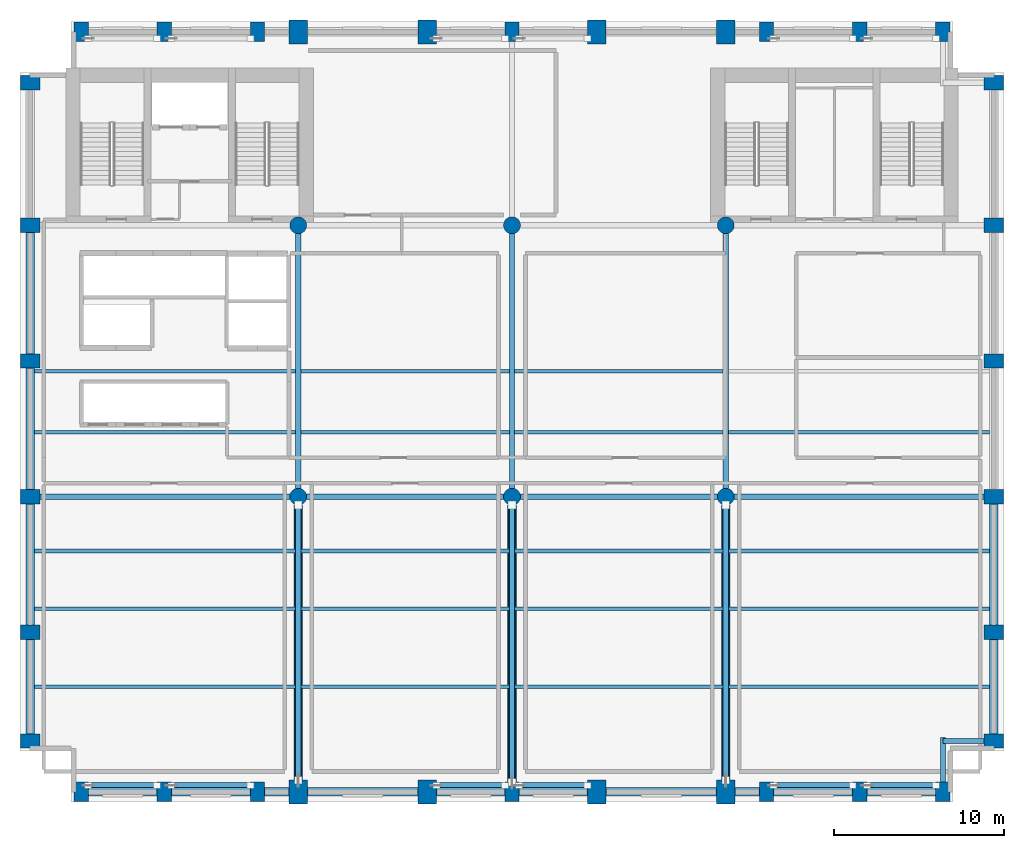
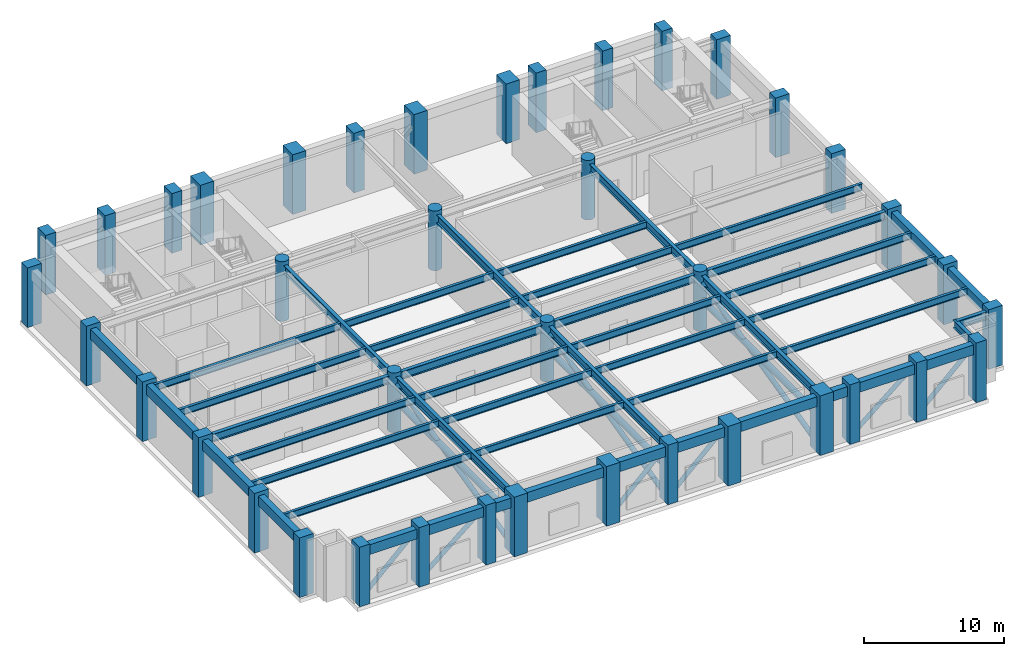
# One storey, part 1 of 11: 47 beams, 40 columns, 12 members.
"""IFC4 building model written with IfcOpenShell, lengths in metres."""

from ifc_helpers import new_model, si_unit, direction, frame, origin, origin_2d, place, context, subcontext, project, spatial, rectangle, circle, hollow_circle, i_section, extrude, material, material_profile, profile_set, type_object, element, save


model = new_model("IFC4")

# Units and contexts
model_context = context("Model", 3, precision=1e-05, world=origin(), true_north=direction((0.0, 1.0)))
body_context = subcontext(model_context, "Body", "Model", "MODEL_VIEW")
ifc_project = project(units=[si_unit("LENGTHUNIT", "METRE"), si_unit("AREAUNIT", "SQUARE_METRE"), si_unit("VOLUMEUNIT", "CUBIC_METRE"), si_unit("PLANEANGLEUNIT", "RADIAN"), si_unit("MASSUNIT", "GRAM", prefix="KILO")], contexts=[model_context])

# Site, building, storey
site_placement = place(None, origin())
site = spatial("IfcSite", under=ifc_project, at=site_placement, CompositionType="ELEMENT")
building_placement = place(site_placement, origin())
building = spatial("IfcBuilding", under=site, at=building_placement, Name="Sulina Concourse Tower", CompositionType="ELEMENT")
storey_placement = place(building_placement, frame((0.0, 0.0, 82.60009765625)))
storey = spatial("IfcBuildingStorey", under=building, at=storey_placement, Name="L20", CompositionType="ELEMENT", Elevation=82.60009765625)

# Columns
ifc_material_1 = material(Name="Concrete C60/75", Category="concrete")
ifc_material_profile_1 = material_profile(ifc_material_1, circle(Radius=0.5, at=origin_2d()), Name="RC D1000")
ifc_profile_set_1 = profile_set([ifc_material_profile_1], Name="Concrete C60/75")
column_type_1 = type_object("IfcColumnType", Name="Lower Interior Circular Column D1000", PredefinedType="COLUMN", material=ifc_profile_set_1)
for number, where, z_axis, x_axis, name in (
    (1, (16.39990234375, 18.0, 0.0), (0.0, 0.0, 1.0), (1.0, 0.0, 0.0), "L20 structural column IC-M-164"),
    (2, (16.39990234375, 34.0, 0.0), (0.0, 0.0, 1.0), (1.0, 0.0, 0.0), "L20 structural column IC-N-164"),
    (3, (29.0, 18.0, 0.0), (0.0, 0.0, 1.0), (1.0, 0.0, 0.0), "L20 structural column IC-M-290"),
    (4, (29.0, 34.0, 0.0), (0.0, 0.0, 1.0), (1.0, 0.0, 0.0), "L20 structural column IC-N-290"),
    (5, (41.60009765625, 18.0, 0.0), (0.0, 0.0, 1.0), (1.0, 0.0, 0.0), "L20 structural column IC-M-416"),
    (6, (41.60009765625, 34.0, 0.0), (0.0, 0.0, 1.0), (1.0, 0.0, 0.0), "L20 structural column IC-N-416"),
):
    element("IfcColumn", number, at=place(storey_placement, frame(where, z_axis=z_axis, x_axis=x_axis)), inside=storey, type_object=column_type_1, Name=name, PredefinedType="COLUMN", context=body_context, shape_type="SweptSolid", body=[
        extrude(circle(Radius=0.5, at=origin_2d()), origin(), (0.0, 0.0, 1.0), 5.199951171875),
    ])
ifc_material_2 = material(Name="Concrete C60/75", Category="concrete")
ifc_material_profile_2 = material_profile(ifc_material_2, rectangle(XDim=1.10009765625, YDim=1.39990234375, at=origin_2d()), Name="RC 1100x1400")
ifc_profile_set_2 = profile_set([ifc_material_profile_2], Name="Concrete C60/75")
column_type_2 = type_object("IfcColumnType", Name="Mid-Rise Portal Column 1100x1400", PredefinedType="COLUMN", material=ifc_profile_set_2)
for number, where, z_axis, x_axis, name in (
    (7, (16.39990234375, 0.60009765625, 0.0), (0.0, 0.0, 1.0), (1.0, 0.0, 0.0), "L20 structural column TP-S-164"),
    (8, (16.39990234375, 45.39990234375, 0.0), (0.0, 0.0, 1.0), (1.0, 0.0, 0.0), "L20 structural column TP-N-164"),
    (9, (24.0, 0.60009765625, 0.0), (0.0, 0.0, 1.0), (1.0, 0.0, 0.0), "L20 structural column TP-S-240"),
    (10, (24.0, 45.39990234375, 0.0), (0.0, 0.0, 1.0), (1.0, 0.0, 0.0), "L20 structural column TP-N-240"),
    (11, (34.0, 0.60009765625, 0.0), (0.0, 0.0, 1.0), (1.0, 0.0, 0.0), "L20 structural column TP-S-340"),
    (12, (34.0, 45.39990234375, 0.0), (0.0, 0.0, 1.0), (1.0, 0.0, 0.0), "L20 structural column TP-N-340"),
    (13, (41.60009765625, 0.60009765625, 0.0), (0.0, 0.0, 1.0), (1.0, 0.0, 0.0), "L20 structural column TP-S-416"),
    (14, (41.60009765625, 45.39990234375, 0.0), (0.0, 0.0, 1.0), (1.0, 0.0, 0.0), "L20 structural column TP-N-416"),
):
    element("IfcColumn", number, at=place(storey_placement, frame(where, z_axis=z_axis, x_axis=x_axis)), inside=storey, type_object=column_type_2, Name=name, PredefinedType="COLUMN", context=body_context, shape_type="SweptSolid", body=[
        extrude(rectangle(XDim=1.10009765625, YDim=1.39990234375, at=origin_2d()), origin(), (0.0, 0.0, 1.0), 5.199951171875),
    ])
ifc_material_3 = material(Name="Precast concrete C60/75", Category="concrete")
ifc_material_profile_3 = material_profile(ifc_material_3, rectangle(XDim=0.85009765625, YDim=1.14990234375, at=origin_2d()), Name="PC 850x1150")
ifc_profile_set_3 = profile_set([ifc_material_profile_3], Name="Precast concrete C60/75")
column_type_3 = type_object("IfcColumnType", Name="Precast Tube Pier Zone 2 850x1150", PredefinedType="COLUMN", material=ifc_profile_set_3)
for number, where, z_axis, x_axis, name in (
    (15, (3.60009765625, 0.60009765625, 0.0), (0.0, 0.0, 1.0), (1.0, 0.0, 0.0), "L20 structural column TP-S-36"),
    (16, (3.60009765625, 45.39990234375, 0.0), (0.0, 0.0, 1.0), (1.0, 0.0, 0.0), "L20 structural column TP-N-36"),
    (17, (8.5, 0.60009765625, 0.0), (0.0, 0.0, 1.0), (1.0, 0.0, 0.0), "L20 structural column TP-S-85"),
    (18, (8.5, 45.39990234375, 0.0), (0.0, 0.0, 1.0), (1.0, 0.0, 0.0), "L20 structural column TP-N-85"),
    (19, (14.0, 0.60009765625, 0.0), (0.0, 0.0, 1.0), (1.0, 0.0, 0.0), "L20 structural column TP-S-140"),
    (20, (14.0, 45.39990234375, 0.0), (0.0, 0.0, 1.0), (1.0, 0.0, 0.0), "L20 structural column TP-N-140"),
    (21, (29.0, 0.60009765625, 0.0), (0.0, 0.0, 1.0), (1.0, 0.0, 0.0), "L20 structural column TP-S-290"),
    (22, (29.0, 45.39990234375, 0.0), (0.0, 0.0, 1.0), (1.0, 0.0, 0.0), "L20 structural column TP-N-290"),
    (23, (44.0, 0.60009765625, 0.0), (0.0, 0.0, 1.0), (1.0, 0.0, 0.0), "L20 structural column TP-S-440"),
    (24, (44.0, 45.39990234375, 0.0), (0.0, 0.0, 1.0), (1.0, 0.0, 0.0), "L20 structural column TP-N-440"),
    (25, (49.5, 0.60009765625, 0.0), (0.0, 0.0, 1.0), (1.0, 0.0, 0.0), "L20 structural column TP-S-495"),
    (26, (49.5, 45.39990234375, 0.0), (0.0, 0.0, 1.0), (1.0, 0.0, 0.0), "L20 structural column TP-N-495"),
    (27, (54.39990234375, 0.60009765625, 0.0), (0.0, 0.0, 1.0), (1.0, 0.0, 0.0), "L20 structural column TP-S-544"),
    (28, (54.39990234375, 45.39990234375, 0.0), (0.0, 0.0, 1.0), (1.0, 0.0, 0.0), "L20 structural column TP-N-544"),
    (29, (0.60009765625, 3.60009765625, 0.0), (0.0, 0.0, 1.0), (0.0, 1.0, 0.0), "L20 structural column TP-W-36"),
    (30, (57.39990234375, 3.60009765625, 0.0), (0.0, 0.0, 1.0), (0.0, 1.0, 0.0), "L20 structural column TP-E-36"),
    (31, (0.60009765625, 10.0, 0.0), (0.0, 0.0, 1.0), (0.0, 1.0, 0.0), "L20 structural column TP-W-100"),
    (32, (57.39990234375, 10.0, 0.0), (0.0, 0.0, 1.0), (0.0, 1.0, 0.0), "L20 structural column TP-E-100"),
    (33, (0.60009765625, 18.0, 0.0), (0.0, 0.0, 1.0), (0.0, 1.0, 0.0), "L20 structural column TP-W-180"),
    (34, (57.39990234375, 18.0, 0.0), (0.0, 0.0, 1.0), (0.0, 1.0, 0.0), "L20 structural column TP-E-180"),
    (35, (0.60009765625, 26.0, 0.0), (0.0, 0.0, 1.0), (0.0, 1.0, 0.0), "L20 structural column TP-W-260"),
    (36, (57.39990234375, 26.0, 0.0), (0.0, 0.0, 1.0), (0.0, 1.0, 0.0), "L20 structural column TP-E-260"),
    (37, (0.60009765625, 34.0, 0.0), (0.0, 0.0, 1.0), (0.0, 1.0, 0.0), "L20 structural column TP-W-340"),
    (38, (57.39990234375, 34.0, 0.0), (0.0, 0.0, 1.0), (0.0, 1.0, 0.0), "L20 structural column TP-E-340"),
    (39, (0.60009765625, 42.39990234375, 0.0), (0.0, 0.0, 1.0), (0.0, 1.0, 0.0), "L20 structural column TP-W-424"),
    (40, (57.39990234375, 42.39990234375, 0.0), (0.0, 0.0, 1.0), (0.0, 1.0, 0.0), "L20 structural column TP-E-424"),
):
    element("IfcColumn", number, at=place(storey_placement, frame(where, z_axis=z_axis, x_axis=x_axis)), inside=storey, type_object=column_type_3, Name=name, PredefinedType="COLUMN", context=body_context, shape_type="SweptSolid", body=[
        extrude(rectangle(XDim=0.85009765625, YDim=1.14990234375, at=origin_2d()), origin(), (0.0, 0.0, 1.0), 5.199951171875),
    ])

# Members
ifc_material_4 = material(Name="Steel S355", Category="steel")
ifc_material_profile_4 = material_profile(ifc_material_4, hollow_circle(Radius=0.177734375, WallThickness=0.01416015625, at=origin_2d()), Name="CHS 355.6x14.2")
ifc_profile_set_4 = profile_set([ifc_material_profile_4], Name="Steel S355")
member_type_1 = type_object("IfcMemberType", Name="Belt Truss Diagonal Brace CHS355.6x14.2", PredefinedType="BRACE", material=ifc_profile_set_4)
member_1_placement = place(storey_placement, frame((4.014892578125, 0.97998046875, 0.14990234375), z_axis=(0.724683530795, 0.0, 0.689081838532), x_axis=(0.0, 1.0, 0.0)))
element("IfcMember", 41, at=member_1_placement, inside=storey, type_object=member_type_1, Name="BLT-S1-L20", PredefinedType="BRACE", context=body_context, shape_type="SweptSolid", body=[
    extrude(hollow_circle(Radius=0.177734375, WallThickness=0.01416015625, at=origin_2d()), origin(), (0.0, 0.0, 1.0), 5.616455078125),
])
member_2_placement = place(storey_placement, frame((8.9150390625, 0.97998046875, 0.14990234375), z_axis=(0.769960534835, 0.0, 0.638091509735), x_axis=(0.0, 1.0, 0.0)))
element("IfcMember", 42, at=member_2_placement, inside=storey, type_object=member_type_1, Name="BLT-S2-L20", PredefinedType="BRACE", context=body_context, shape_type="SweptSolid", body=[
    extrude(hollow_circle(Radius=0.177734375, WallThickness=0.01416015625, at=origin_2d()), origin(), (0.0, 0.0, 1.0), 6.065185546875),
])
for number, where, z_axis, x_axis, name in (
    (43, (24.5400390625, 0.97998046875, 0.14990234375), (0.72254713742, 0.0, 0.691321657556), (0.0, 1.0, 0.0), "BLT-S3-L20"),
    (44, (29.4150390625, 0.97998046875, 0.14990234375), (0.72254713742, 0.0, 0.691321657556), (0.0, 1.0, 0.0), "BLT-S4-L20"),
):
    element("IfcMember", number, at=place(storey_placement, frame(where, z_axis=z_axis, x_axis=x_axis)), inside=storey, type_object=member_type_1, Name=name, PredefinedType="BRACE", context=body_context, shape_type="SweptSolid", body=[
        extrude(hollow_circle(Radius=0.177734375, WallThickness=0.01416015625, at=origin_2d()), origin(), (0.0, 0.0, 1.0), 5.59814453125),
    ])
member_3_placement = place(storey_placement, frame((44.4150390625, 0.97998046875, 0.14990234375), z_axis=(0.769960534835, 0.0, 0.638091509735), x_axis=(0.0, 1.0, 0.0)))
element("IfcMember", 45, at=member_3_placement, inside=storey, type_object=member_type_1, Name="BLT-S5-L20", PredefinedType="BRACE", context=body_context, shape_type="SweptSolid", body=[
    extrude(hollow_circle(Radius=0.177734375, WallThickness=0.01416015625, at=origin_2d()), origin(), (0.0, 0.0, 1.0), 6.065185546875),
])
member_4_placement = place(storey_placement, frame((49.9150390625, 0.97998046875, 0.14990234375), z_axis=(0.724683530795, 0.0, 0.689081838532), x_axis=(0.0, 1.0, 0.0)))
element("IfcMember", 46, at=member_4_placement, inside=storey, type_object=member_type_1, Name="BLT-S6-L20", PredefinedType="BRACE", context=body_context, shape_type="SweptSolid", body=[
    extrude(hollow_circle(Radius=0.177734375, WallThickness=0.01416015625, at=origin_2d()), origin(), (0.0, 0.0, 1.0), 5.616455078125),
])

# Beams
ifc_material_5 = material(Name="Steel S355", Category="steel")
ifc_material_profile_5 = material_profile(ifc_material_5, i_section(OverallWidth=0.219970703125, OverallDepth=0.60009765625, WebThickness=0.011962890625, FlangeThickness=0.01904296875, at=origin_2d()), Name="IPE 600")
ifc_profile_set_5 = profile_set([ifc_material_profile_5], Name="Steel S355")
beam_type_1 = type_object("IfcBeamType", Name="Composite Floor Joist IPE600", PredefinedType="JOIST", material=ifc_profile_set_5)
beam_1_placement = place(storey_placement, frame((0.85009765625, 6.800048828125, 4.559814453125), z_axis=(1.0, 0.0, 0.0), x_axis=(0.0, 1.0, 0.0)))
element("IfcBeam", 47, at=beam_1_placement, inside=storey, type_object=beam_type_1, Name="FJ-J06-1-L20", PredefinedType="JOIST", context=body_context, shape_type="SweptSolid", body=[
    extrude(i_section(OverallWidth=0.219970703125, OverallDepth=0.60009765625, WebThickness=0.011962890625, FlangeThickness=0.01904296875, at=origin_2d()), origin(), (0.0, 0.0, 1.0), 15.39990234375),
])
for number, where, z_axis, x_axis, name in (
    (48, (16.550048828125, 6.800048828125, 4.559814453125), (1.0, 0.0, 0.0), (0.0, 1.0, 0.0), "FJ-J06-2-L20"),
    (49, (29.14990234375, 6.800048828125, 4.559814453125), (1.0, 0.0, 0.0), (0.0, 1.0, 0.0), "FJ-J06-3-L20"),
):
    element("IfcBeam", number, at=place(storey_placement, frame(where, z_axis=z_axis, x_axis=x_axis)), inside=storey, type_object=beam_type_1, Name=name, PredefinedType="JOIST", context=body_context, shape_type="SweptSolid", body=[
        extrude(i_section(OverallWidth=0.219970703125, OverallDepth=0.60009765625, WebThickness=0.011962890625, FlangeThickness=0.01904296875, at=origin_2d()), origin(), (0.0, 0.0, 1.0), 12.300048828125),
    ])
for number, where, z_axis, x_axis, name in (
    (50, (41.75, 6.800048828125, 4.559814453125), (1.0, 0.0, 0.0), (0.0, 1.0, 0.0), "FJ-J06-4-L20"),
    (51, (0.85009765625, 11.39990234375, 4.559814453125), (1.0, 0.0, 0.0), (0.0, 1.0, 0.0), "FJ-J11-1-L20"),
):
    element("IfcBeam", number, at=place(storey_placement, frame(where, z_axis=z_axis, x_axis=x_axis)), inside=storey, type_object=beam_type_1, Name=name, PredefinedType="JOIST", context=body_context, shape_type="SweptSolid", body=[
        extrude(i_section(OverallWidth=0.219970703125, OverallDepth=0.60009765625, WebThickness=0.011962890625, FlangeThickness=0.01904296875, at=origin_2d()), origin(), (0.0, 0.0, 1.0), 15.39990234375),
    ])
for number, where, z_axis, x_axis, name in (
    (52, (16.550048828125, 11.39990234375, 4.559814453125), (1.0, 0.0, 0.0), (0.0, 1.0, 0.0), "FJ-J11-2-L20"),
    (53, (29.14990234375, 11.39990234375, 4.559814453125), (1.0, 0.0, 0.0), (0.0, 1.0, 0.0), "FJ-J11-3-L20"),
):
    element("IfcBeam", number, at=place(storey_placement, frame(where, z_axis=z_axis, x_axis=x_axis)), inside=storey, type_object=beam_type_1, Name=name, PredefinedType="JOIST", context=body_context, shape_type="SweptSolid", body=[
        extrude(i_section(OverallWidth=0.219970703125, OverallDepth=0.60009765625, WebThickness=0.011962890625, FlangeThickness=0.01904296875, at=origin_2d()), origin(), (0.0, 0.0, 1.0), 12.300048828125),
    ])
for number, where, z_axis, x_axis, name in (
    (54, (41.75, 11.39990234375, 4.559814453125), (1.0, 0.0, 0.0), (0.0, 1.0, 0.0), "FJ-J11-4-L20"),
    (55, (0.85009765625, 14.800048828125, 4.559814453125), (1.0, 0.0, 0.0), (0.0, 1.0, 0.0), "FJ-J15-1-L20"),
):
    element("IfcBeam", number, at=place(storey_placement, frame(where, z_axis=z_axis, x_axis=x_axis)), inside=storey, type_object=beam_type_1, Name=name, PredefinedType="JOIST", context=body_context, shape_type="SweptSolid", body=[
        extrude(i_section(OverallWidth=0.219970703125, OverallDepth=0.60009765625, WebThickness=0.011962890625, FlangeThickness=0.01904296875, at=origin_2d()), origin(), (0.0, 0.0, 1.0), 15.39990234375),
    ])
for number, where, z_axis, x_axis, name in (
    (56, (16.550048828125, 14.800048828125, 4.559814453125), (1.0, 0.0, 0.0), (0.0, 1.0, 0.0), "FJ-J15-2-L20"),
    (57, (29.14990234375, 14.800048828125, 4.559814453125), (1.0, 0.0, 0.0), (0.0, 1.0, 0.0), "FJ-J15-3-L20"),
):
    element("IfcBeam", number, at=place(storey_placement, frame(where, z_axis=z_axis, x_axis=x_axis)), inside=storey, type_object=beam_type_1, Name=name, PredefinedType="JOIST", context=body_context, shape_type="SweptSolid", body=[
        extrude(i_section(OverallWidth=0.219970703125, OverallDepth=0.60009765625, WebThickness=0.011962890625, FlangeThickness=0.01904296875, at=origin_2d()), origin(), (0.0, 0.0, 1.0), 12.300048828125),
    ])
for number, where, z_axis, x_axis, name in (
    (58, (41.75, 14.800048828125, 4.559814453125), (1.0, 0.0, 0.0), (0.0, 1.0, 0.0), "FJ-J15-4-L20"),
    (59, (0.85009765625, 21.800048828125, 4.559814453125), (1.0, 0.0, 0.0), (0.0, 1.0, 0.0), "FJ-J22-1-L20"),
):
    element("IfcBeam", number, at=place(storey_placement, frame(where, z_axis=z_axis, x_axis=x_axis)), inside=storey, type_object=beam_type_1, Name=name, PredefinedType="JOIST", context=body_context, shape_type="SweptSolid", body=[
        extrude(i_section(OverallWidth=0.219970703125, OverallDepth=0.60009765625, WebThickness=0.011962890625, FlangeThickness=0.01904296875, at=origin_2d()), origin(), (0.0, 0.0, 1.0), 15.39990234375),
    ])
for number, where, z_axis, x_axis, name in (
    (60, (16.550048828125, 21.800048828125, 4.559814453125), (1.0, 0.0, 0.0), (0.0, 1.0, 0.0), "FJ-J22-2-L20"),
    (61, (29.14990234375, 21.800048828125, 4.559814453125), (1.0, 0.0, 0.0), (0.0, 1.0, 0.0), "FJ-J22-3-L20"),
):
    element("IfcBeam", number, at=place(storey_placement, frame(where, z_axis=z_axis, x_axis=x_axis)), inside=storey, type_object=beam_type_1, Name=name, PredefinedType="JOIST", context=body_context, shape_type="SweptSolid", body=[
        extrude(i_section(OverallWidth=0.219970703125, OverallDepth=0.60009765625, WebThickness=0.011962890625, FlangeThickness=0.01904296875, at=origin_2d()), origin(), (0.0, 0.0, 1.0), 12.300048828125),
    ])
for number, where, z_axis, x_axis, name in (
    (62, (41.75, 21.800048828125, 4.559814453125), (1.0, 0.0, 0.0), (0.0, 1.0, 0.0), "FJ-J22-4-L20"),
    (63, (0.85009765625, 25.39990234375, 4.559814453125), (1.0, 0.0, 0.0), (0.0, 1.0, 0.0), "FJ-J25-1-L20"),
):
    element("IfcBeam", number, at=place(storey_placement, frame(where, z_axis=z_axis, x_axis=x_axis)), inside=storey, type_object=beam_type_1, Name=name, PredefinedType="JOIST", context=body_context, shape_type="SweptSolid", body=[
        extrude(i_section(OverallWidth=0.219970703125, OverallDepth=0.60009765625, WebThickness=0.011962890625, FlangeThickness=0.01904296875, at=origin_2d()), origin(), (0.0, 0.0, 1.0), 15.39990234375),
    ])
for number, where, z_axis, x_axis, name in (
    (64, (16.550048828125, 25.39990234375, 4.559814453125), (1.0, 0.0, 0.0), (0.0, 1.0, 0.0), "FJ-J25-2-L20"),
    (65, (29.14990234375, 25.39990234375, 4.559814453125), (1.0, 0.0, 0.0), (0.0, 1.0, 0.0), "FJ-J25-3-L20"),
):
    element("IfcBeam", number, at=place(storey_placement, frame(where, z_axis=z_axis, x_axis=x_axis)), inside=storey, type_object=beam_type_1, Name=name, PredefinedType="JOIST", context=body_context, shape_type="SweptSolid", body=[
        extrude(i_section(OverallWidth=0.219970703125, OverallDepth=0.60009765625, WebThickness=0.011962890625, FlangeThickness=0.01904296875, at=origin_2d()), origin(), (0.0, 0.0, 1.0), 12.300048828125),
    ])
ifc_material_6 = material(Name="Steel S355", Category="steel")
ifc_material_profile_6 = material_profile(ifc_material_6, i_section(OverallWidth=0.300048828125, OverallDepth=0.699951171875, WebThickness=0.01708984375, FlangeThickness=0.031982421875, at=origin_2d()), Name="HE 700 B")
ifc_profile_set_6 = profile_set([ifc_material_profile_6], Name="Steel S355")
beam_type_2 = type_object("IfcBeamType", Name="Floor Primary Girder Zone 1 HE700B", PredefinedType="BEAM", material=ifc_profile_set_6)
beam_2_placement = place(storey_placement, frame((54.39990234375, 3.60009765625, 4.510009765625), z_axis=(1.0, 0.0, 0.0), x_axis=(0.0, 1.0, 0.0)))
element("IfcBeam", 66, at=beam_2_placement, inside=storey, type_object=beam_type_2, Name="TIE-SE-L20", PredefinedType="BEAM", context=body_context, shape_type="SweptSolid", body=[
    extrude(i_section(OverallWidth=0.300048828125, OverallDepth=0.699951171875, WebThickness=0.01708984375, FlangeThickness=0.031982421875, at=origin_2d()), origin(), (0.0, 0.0, 1.0), 2.59521484375),
])
beam_3_placement = place(storey_placement, frame((54.39990234375, 1.0048828125, 4.510009765625), z_axis=(0.0, 1.0, 0.0), x_axis=(-1.0, 0.0, 0.0)))
element("IfcBeam", 67, at=beam_3_placement, inside=storey, type_object=beam_type_2, Name="TIE-SES-L20", PredefinedType="BEAM", context=body_context, shape_type="SweptSolid", body=[
    extrude(i_section(OverallWidth=0.300048828125, OverallDepth=0.699951171875, WebThickness=0.01708984375, FlangeThickness=0.031982421875, at=origin_2d()), origin(), (0.0, 0.0, 1.0), 2.795166015625),
])
beam_4_placement = place(storey_placement, frame((1.0048828125, 18.0, 4.510009765625), z_axis=(1.0, 0.0, 0.0), x_axis=(0.0, 1.0, 0.0)))
element("IfcBeam", 68, at=beam_4_placement, inside=storey, type_object=beam_type_2, Name="FG-EW1-L20", PredefinedType="BEAM", context=body_context, shape_type="SweptSolid", body=[
    extrude(i_section(OverallWidth=0.300048828125, OverallDepth=0.699951171875, WebThickness=0.01708984375, FlangeThickness=0.031982421875, at=origin_2d()), origin(), (0.0, 0.0, 1.0), 14.9150390625),
])
for number, where, z_axis, x_axis, name in (
    (69, (16.8798828125, 18.0, 4.510009765625), (1.0, 0.0, 0.0), (0.0, 1.0, 0.0), "FG-EW2-L20"),
    (70, (29.47998046875, 18.0, 4.510009765625), (1.0, 0.0, 0.0), (0.0, 1.0, 0.0), "FG-EW3-L20"),
):
    element("IfcBeam", number, at=place(storey_placement, frame(where, z_axis=z_axis, x_axis=x_axis)), inside=storey, type_object=beam_type_2, Name=name, PredefinedType="BEAM", context=body_context, shape_type="SweptSolid", body=[
        extrude(i_section(OverallWidth=0.300048828125, OverallDepth=0.699951171875, WebThickness=0.01708984375, FlangeThickness=0.031982421875, at=origin_2d()), origin(), (0.0, 0.0, 1.0), 11.64013671875),
    ])
beam_5_placement = place(storey_placement, frame((42.080078125, 18.0, 4.510009765625), z_axis=(1.0, 0.0, 0.0), x_axis=(0.0, 1.0, 0.0)))
element("IfcBeam", 71, at=beam_5_placement, inside=storey, type_object=beam_type_2, Name="FG-EW4-L20", PredefinedType="BEAM", context=body_context, shape_type="SweptSolid", body=[
    extrude(i_section(OverallWidth=0.300048828125, OverallDepth=0.699951171875, WebThickness=0.01708984375, FlangeThickness=0.031982421875, at=origin_2d()), origin(), (0.0, 0.0, 1.0), 14.9150390625),
])
beam_6_placement = place(storey_placement, frame((16.39990234375, 1.1298828125, 4.510009765625), z_axis=(0.0, 1.0, 0.0), x_axis=(-1.0, 0.0, 0.0)))
element("IfcBeam", 72, at=beam_6_placement, inside=storey, type_object=beam_type_2, Name="FG-NSA-16-L20", PredefinedType="BEAM", context=body_context, shape_type="SweptSolid", body=[
    extrude(i_section(OverallWidth=0.300048828125, OverallDepth=0.699951171875, WebThickness=0.01708984375, FlangeThickness=0.031982421875, at=origin_2d()), origin(), (0.0, 0.0, 1.0), 16.39013671875),
])
beam_7_placement = place(storey_placement, frame((16.39990234375, 18.47998046875, 4.510009765625), z_axis=(0.0, 1.0, 0.0), x_axis=(-1.0, 0.0, 0.0)))
element("IfcBeam", 73, at=beam_7_placement, inside=storey, type_object=beam_type_2, Name="FG-NSB-16-L20", PredefinedType="BEAM", context=body_context, shape_type="SweptSolid", body=[
    extrude(i_section(OverallWidth=0.300048828125, OverallDepth=0.699951171875, WebThickness=0.01708984375, FlangeThickness=0.031982421875, at=origin_2d()), origin(), (0.0, 0.0, 1.0), 15.0400390625),
])
beam_8_placement = place(storey_placement, frame((29.0, 1.0048828125, 4.510009765625), z_axis=(0.0, 1.0, 0.0), x_axis=(-1.0, 0.0, 0.0)))
element("IfcBeam", 74, at=beam_8_placement, inside=storey, type_object=beam_type_2, Name="FG-NSA-29-L20", PredefinedType="BEAM", context=body_context, shape_type="SweptSolid", body=[
    extrude(i_section(OverallWidth=0.300048828125, OverallDepth=0.699951171875, WebThickness=0.01708984375, FlangeThickness=0.031982421875, at=origin_2d()), origin(), (0.0, 0.0, 1.0), 16.51513671875),
])
beam_9_placement = place(storey_placement, frame((29.0, 18.47998046875, 4.510009765625), z_axis=(0.0, 1.0, 0.0), x_axis=(-1.0, 0.0, 0.0)))
element("IfcBeam", 75, at=beam_9_placement, inside=storey, type_object=beam_type_2, Name="FG-NSB-29-L20", PredefinedType="BEAM", context=body_context, shape_type="SweptSolid", body=[
    extrude(i_section(OverallWidth=0.300048828125, OverallDepth=0.699951171875, WebThickness=0.01708984375, FlangeThickness=0.031982421875, at=origin_2d()), origin(), (0.0, 0.0, 1.0), 15.0400390625),
])
beam_10_placement = place(storey_placement, frame((41.60009765625, 1.1298828125, 4.510009765625), z_axis=(0.0, 1.0, 0.0), x_axis=(-1.0, 0.0, 0.0)))
element("IfcBeam", 76, at=beam_10_placement, inside=storey, type_object=beam_type_2, Name="FG-NSA-41-L20", PredefinedType="BEAM", context=body_context, shape_type="SweptSolid", body=[
    extrude(i_section(OverallWidth=0.300048828125, OverallDepth=0.699951171875, WebThickness=0.01708984375, FlangeThickness=0.031982421875, at=origin_2d()), origin(), (0.0, 0.0, 1.0), 16.39013671875),
])
beam_11_placement = place(storey_placement, frame((41.60009765625, 18.47998046875, 4.510009765625), z_axis=(0.0, 1.0, 0.0), x_axis=(-1.0, 0.0, 0.0)))
element("IfcBeam", 77, at=beam_11_placement, inside=storey, type_object=beam_type_2, Name="FG-NSB-41-L20", PredefinedType="BEAM", context=body_context, shape_type="SweptSolid", body=[
    extrude(i_section(OverallWidth=0.300048828125, OverallDepth=0.699951171875, WebThickness=0.01708984375, FlangeThickness=0.031982421875, at=origin_2d()), origin(), (0.0, 0.0, 1.0), 15.0400390625),
])

# Members
ifc_material_7 = material(Name="Steel S355", Category="steel")
ifc_material_profile_7 = material_profile(ifc_material_7, hollow_circle(Radius=0.25390625, WallThickness=0.02001953125, at=origin_2d()), Name="CHS 508x20")
ifc_profile_set_7 = profile_set([ifc_material_profile_7], Name="Steel S355")
member_type_2 = type_object("IfcMemberType", Name="Lower Outrigger Strut CHS508x20", PredefinedType="STRUT", material=ifc_profile_set_7)
member_5_placement = place(storey_placement, frame((16.39990234375, 1.2900390625, 2.64990234375), z_axis=(0.0, 1.0, 0.0), x_axis=(-1.0, 0.0, 0.0)))
element("IfcMember", 78, at=member_5_placement, inside=storey, type_object=member_type_2, Name="OUT-ST-W1-L20", PredefinedType="STRUT", context=body_context, shape_type="SweptSolid", body=[
    extrude(hollow_circle(Radius=0.25390625, WallThickness=0.02001953125, at=origin_2d()), origin(), (0.0, 0.0, 1.0), 16.219970703125),
])
member_6_placement = place(storey_placement, frame((29.0, 1.1650390625, 2.64990234375), z_axis=(0.0, 1.0, 0.0), x_axis=(-1.0, 0.0, 0.0)))
element("IfcMember", 79, at=member_6_placement, inside=storey, type_object=member_type_2, Name="OUT-ST-M1-L20", PredefinedType="STRUT", context=body_context, shape_type="SweptSolid", body=[
    extrude(hollow_circle(Radius=0.25390625, WallThickness=0.02001953125, at=origin_2d()), origin(), (0.0, 0.0, 1.0), 16.344970703125),
])
member_7_placement = place(storey_placement, frame((41.60009765625, 1.2900390625, 2.64990234375), z_axis=(0.0, 1.0, 0.0), x_axis=(-1.0, 0.0, 0.0)))
element("IfcMember", 80, at=member_7_placement, inside=storey, type_object=member_type_2, Name="OUT-ST-E1-L20", PredefinedType="STRUT", context=body_context, shape_type="SweptSolid", body=[
    extrude(hollow_circle(Radius=0.25390625, WallThickness=0.02001953125, at=origin_2d()), origin(), (0.0, 0.0, 1.0), 16.219970703125),
])

# Beams
ifc_material_8 = material(Name="Precast concrete C50/60", Category="concrete")
ifc_material_profile_8 = material_profile(ifc_material_8, rectangle(XDim=0.5, YDim=0.85009765625, at=origin_2d()), Name="RC 500x850")
ifc_profile_set_8 = profile_set([ifc_material_profile_8], Name="Precast concrete C50/60")
beam_type_3 = type_object("IfcBeamType", Name="Lower Precast Spandrel Edge Beam 500x850", PredefinedType="BEAM", material=ifc_profile_set_8)
beam_12_placement = place(storey_placement, frame((4.0048828125, 0.60009765625, 4.434814453125), z_axis=(1.0, 0.0, 0.0), x_axis=(0.0, 1.0, 0.0)))
element("IfcBeam", 81, at=beam_12_placement, inside=storey, type_object=beam_type_3, Name="SP-S1-L20", PredefinedType="BEAM", context=body_context, shape_type="SweptSolid", body=[
    extrude(rectangle(XDim=0.5, YDim=0.85009765625, at=origin_2d()), origin(), (0.0, 0.0, 1.0), 4.090087890625),
])
beam_13_placement = place(storey_placement, frame((8.905029296875, 0.60009765625, 4.434814453125), z_axis=(1.0, 0.0, 0.0), x_axis=(0.0, 1.0, 0.0)))
element("IfcBeam", 82, at=beam_13_placement, inside=storey, type_object=beam_type_3, Name="SP-S2-L20", PredefinedType="BEAM", context=body_context, shape_type="SweptSolid", body=[
    extrude(rectangle(XDim=0.5, YDim=0.85009765625, at=origin_2d()), origin(), (0.0, 0.0, 1.0), 4.68994140625),
])
beam_14_placement = place(storey_placement, frame((14.405029296875, 0.60009765625, 4.434814453125), z_axis=(1.0, 0.0, 0.0), x_axis=(0.0, 1.0, 0.0)))
element("IfcBeam", 83, at=beam_14_placement, inside=storey, type_object=beam_type_3, Name="SP-S3-L20", PredefinedType="BEAM", context=body_context, shape_type="SweptSolid", body=[
    extrude(rectangle(XDim=0.5, YDim=0.85009765625, at=origin_2d()), origin(), (0.0, 0.0, 1.0), 1.465087890625),
])
beam_15_placement = place(storey_placement, frame((16.929931640625, 0.60009765625, 4.434814453125), z_axis=(1.0, 0.0, 0.0), x_axis=(0.0, 1.0, 0.0)))
element("IfcBeam", 84, at=beam_15_placement, inside=storey, type_object=beam_type_3, Name="SP-S4-L20", PredefinedType="BEAM", context=body_context, shape_type="SweptSolid", body=[
    extrude(rectangle(XDim=0.5, YDim=0.85009765625, at=origin_2d()), origin(), (0.0, 0.0, 1.0), 6.5400390625),
])
for number, where, z_axis, x_axis, name in (
    (85, (24.530029296875, 0.60009765625, 4.434814453125), (1.0, 0.0, 0.0), (0.0, 1.0, 0.0), "SP-S5-L20"),
    (86, (29.405029296875, 0.60009765625, 4.434814453125), (1.0, 0.0, 0.0), (0.0, 1.0, 0.0), "SP-S6-L20"),
):
    element("IfcBeam", number, at=place(storey_placement, frame(where, z_axis=z_axis, x_axis=x_axis)), inside=storey, type_object=beam_type_3, Name=name, PredefinedType="BEAM", context=body_context, shape_type="SweptSolid", body=[
        extrude(rectangle(XDim=0.5, YDim=0.85009765625, at=origin_2d()), origin(), (0.0, 0.0, 1.0), 4.06494140625),
    ])
beam_16_placement = place(storey_placement, frame((34.530029296875, 0.60009765625, 4.434814453125), z_axis=(1.0, 0.0, 0.0), x_axis=(0.0, 1.0, 0.0)))
element("IfcBeam", 87, at=beam_16_placement, inside=storey, type_object=beam_type_3, Name="SP-S7-L20", PredefinedType="BEAM", context=body_context, shape_type="SweptSolid", body=[
    extrude(rectangle(XDim=0.5, YDim=0.85009765625, at=origin_2d()), origin(), (0.0, 0.0, 1.0), 6.5400390625),
])
beam_17_placement = place(storey_placement, frame((42.1298828125, 0.60009765625, 4.434814453125), z_axis=(1.0, 0.0, 0.0), x_axis=(0.0, 1.0, 0.0)))
element("IfcBeam", 88, at=beam_17_placement, inside=storey, type_object=beam_type_3, Name="SP-S8-L20", PredefinedType="BEAM", context=body_context, shape_type="SweptSolid", body=[
    extrude(rectangle(XDim=0.5, YDim=0.85009765625, at=origin_2d()), origin(), (0.0, 0.0, 1.0), 1.465087890625),
])
beam_18_placement = place(storey_placement, frame((44.405029296875, 0.60009765625, 4.434814453125), z_axis=(1.0, 0.0, 0.0), x_axis=(0.0, 1.0, 0.0)))
element("IfcBeam", 89, at=beam_18_placement, inside=storey, type_object=beam_type_3, Name="SP-S9-L20", PredefinedType="BEAM", context=body_context, shape_type="SweptSolid", body=[
    extrude(rectangle(XDim=0.5, YDim=0.85009765625, at=origin_2d()), origin(), (0.0, 0.0, 1.0), 4.68994140625),
])
beam_19_placement = place(storey_placement, frame((49.905029296875, 0.60009765625, 4.434814453125), z_axis=(1.0, 0.0, 0.0), x_axis=(0.0, 1.0, 0.0)))
element("IfcBeam", 90, at=beam_19_placement, inside=storey, type_object=beam_type_3, Name="SP-S10-L20", PredefinedType="BEAM", context=body_context, shape_type="SweptSolid", body=[
    extrude(rectangle(XDim=0.5, YDim=0.85009765625, at=origin_2d()), origin(), (0.0, 0.0, 1.0), 4.090087890625),
])
beam_20_placement = place(storey_placement, frame((0.60009765625, 4.0048828125, 4.434814453125), z_axis=(0.0, 1.0, 0.0), x_axis=(-1.0, 0.0, 0.0)))
element("IfcBeam", 91, at=beam_20_placement, inside=storey, type_object=beam_type_3, Name="SP-W1-L20", PredefinedType="BEAM", context=body_context, shape_type="SweptSolid", body=[
    extrude(rectangle(XDim=0.5, YDim=0.85009765625, at=origin_2d()), origin(), (0.0, 0.0, 1.0), 5.590087890625),
])
for number, where, z_axis, x_axis, name in (
    (92, (0.60009765625, 10.405029296875, 4.434814453125), (0.0, 1.0, 0.0), (-1.0, 0.0, 0.0), "SP-W2-L20"),
    (93, (0.60009765625, 18.405029296875, 4.434814453125), (0.0, 1.0, 0.0), (-1.0, 0.0, 0.0), "SP-W3-L20"),
    (94, (0.60009765625, 26.405029296875, 4.434814453125), (0.0, 1.0, 0.0), (-1.0, 0.0, 0.0), "SP-W4-L20"),
):
    element("IfcBeam", number, at=place(storey_placement, frame(where, z_axis=z_axis, x_axis=x_axis)), inside=storey, type_object=beam_type_3, Name=name, PredefinedType="BEAM", context=body_context, shape_type="SweptSolid", body=[
        extrude(rectangle(XDim=0.5, YDim=0.85009765625, at=origin_2d()), origin(), (0.0, 0.0, 1.0), 7.18994140625),
    ])
beam_21_placement = place(storey_placement, frame((57.39990234375, 4.0048828125, 4.434814453125), z_axis=(0.0, 1.0, 0.0), x_axis=(-1.0, 0.0, 0.0)))
element("IfcBeam", 95, at=beam_21_placement, inside=storey, type_object=beam_type_3, Name="SP-E1-L20", PredefinedType="BEAM", context=body_context, shape_type="SweptSolid", body=[
    extrude(rectangle(XDim=0.5, YDim=0.85009765625, at=origin_2d()), origin(), (0.0, 0.0, 1.0), 5.590087890625),
])
beam_22_placement = place(storey_placement, frame((57.39990234375, 10.405029296875, 4.434814453125), z_axis=(0.0, 1.0, 0.0), x_axis=(-1.0, 0.0, 0.0)))
element("IfcBeam", 96, at=beam_22_placement, inside=storey, type_object=beam_type_3, Name="SP-E2-L20", PredefinedType="BEAM", context=body_context, shape_type="SweptSolid", body=[
    extrude(rectangle(XDim=0.5, YDim=0.85009765625, at=origin_2d()), origin(), (0.0, 0.0, 1.0), 7.18994140625),
])

# Members
ifc_material_9 = material(Name="Steel S355", Category="steel")
ifc_material_profile_9 = material_profile(ifc_material_9, hollow_circle(Radius=0.203125, WallThickness=0.01611328125, at=origin_2d()), Name="CHS 406.4x16")
ifc_profile_set_9 = profile_set([ifc_material_profile_9], Name="Steel S355")
member_type_3 = type_object("IfcMemberType", Name="Outrigger Diagonal Brace CHS406.4x16", PredefinedType="BRACE", material=ifc_profile_set_9)
member_8_placement = place(storey_placement, frame((16.39990234375, 1.2900390625, 0.14990234375), z_axis=(0.0, 0.970912096505, 0.239436214596), x_axis=(-1.0, 0.0, 0.0)))
element("IfcMember", 97, at=member_8_placement, inside=storey, type_object=member_type_3, Name="OUT-DG-W1-L20", PredefinedType="BRACE", context=body_context, shape_type="SweptSolid", body=[
    extrude(hollow_circle(Radius=0.203125, WallThickness=0.01611328125, at=origin_2d()), origin(), (0.0, 0.0, 1.0), 16.705810546875),
])
member_9_placement = place(storey_placement, frame((29.0, 1.1650390625, 0.14990234375), z_axis=(0.0, 0.97133642896, 0.237708943406), x_axis=(-1.0, 0.0, 0.0)))
element("IfcMember", 98, at=member_9_placement, inside=storey, type_object=member_type_3, Name="OUT-DG-M1-L20", PredefinedType="BRACE", context=body_context, shape_type="SweptSolid", body=[
    extrude(hollow_circle(Radius=0.203125, WallThickness=0.01611328125, at=origin_2d()), origin(), (0.0, 0.0, 1.0), 16.827392578125),
])
member_10_placement = place(storey_placement, frame((41.60009765625, 1.2900390625, 0.14990234375), z_axis=(0.0, 0.970912096505, 0.239436214596), x_axis=(-1.0, 0.0, 0.0)))
element("IfcMember", 99, at=member_10_placement, inside=storey, type_object=member_type_3, Name="OUT-DG-E1-L20", PredefinedType="BRACE", context=body_context, shape_type="SweptSolid", body=[
    extrude(hollow_circle(Radius=0.203125, WallThickness=0.01611328125, at=origin_2d()), origin(), (0.0, 0.0, 1.0), 16.705810546875),
])

save(model, "model.ifc")
